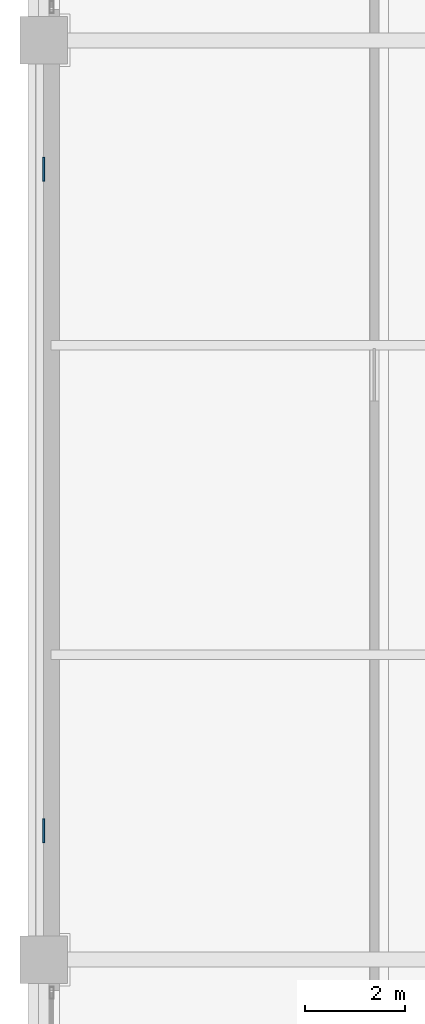
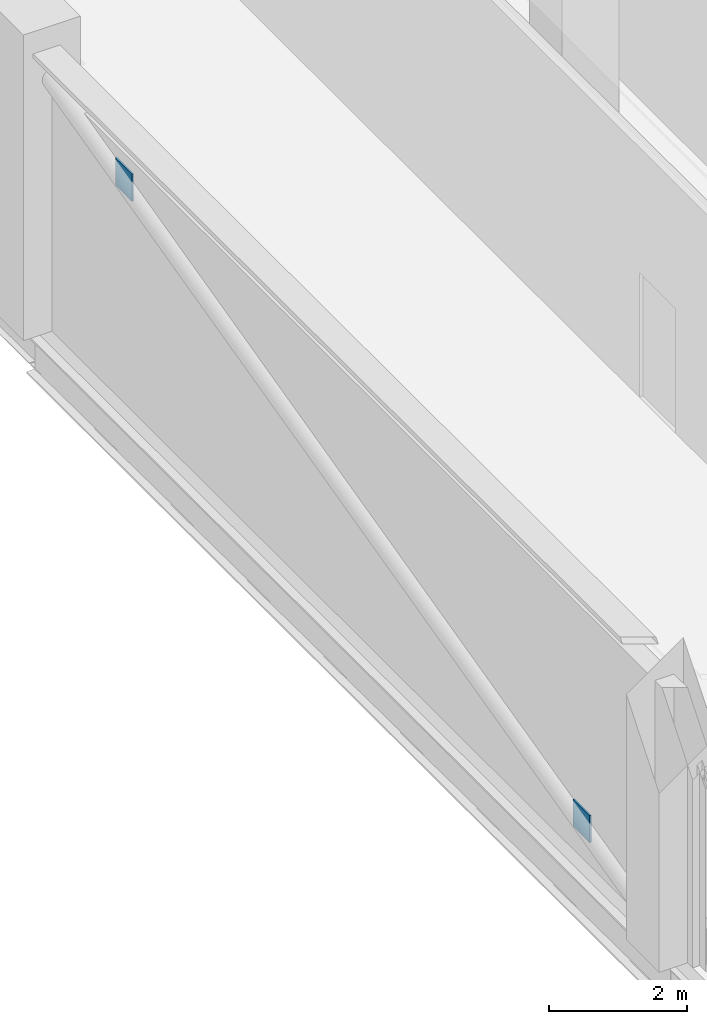
# One storey, part 27 of 43: 2 plates.
"""IFC4 building model written with IfcOpenShell, lengths in metres."""

from ifc_helpers import new_model, si_unit, direction, frame, origin, origin_2d, place, context, subcontext, project, spatial, rectangle, extrude, material, layer, layer_set, type_object, element, save


model = new_model("IFC4")

# Units and contexts
model_context = context("Model", 3, precision=1e-05, world=origin(), true_north=direction((0.0, 1.0)))
body_context = subcontext(model_context, "Body", "Model", "MODEL_VIEW")
ifc_project = project(units=[si_unit("LENGTHUNIT", "METRE"), si_unit("AREAUNIT", "SQUARE_METRE"), si_unit("VOLUMEUNIT", "CUBIC_METRE"), si_unit("PLANEANGLEUNIT", "RADIAN"), si_unit("MASSUNIT", "GRAM", prefix="KILO")], contexts=[model_context])

# Site, building, storey
site_placement = place(None, origin())
site = spatial("IfcSite", under=ifc_project, at=site_placement, CompositionType="ELEMENT")
building_placement = place(site_placement, origin())
building = spatial("IfcBuilding", under=site, at=building_placement, Name="Punatoya Terracotta Tower", CompositionType="ELEMENT")
storey_placement = place(building_placement, frame((0.0, 0.0, 6.0)))
storey = spatial("IfcBuildingStorey", under=building, at=storey_placement, Name="L01", CompositionType="ELEMENT", Elevation=6.0)

# Plates
ifc_material = material(Name="Steel S460", Category="steel")
ifc_layer = layer(ifc_material, 0.031982421875)
ifc_layer_set = layer_set([ifc_layer], Name="Steel S460")
plate_type = type_object("IfcPlateType", Name="PLT-END-32", PredefinedType="USERDEFINED", material=ifc_layer_set)
for number, where, z_axis, x_axis, name in (
    (1, (-37.0, -6.6240234375, 0.421142578125), (0.0, 0.0, 1.0), (1.0, 0.0, 0.0), "L01 Podium Brace PBR-1 End Connection Plate 1"),
    (2, (-37.0, 6.6240234375, 3.71875), (0.0, 0.0, 1.0), (1.0, 0.0, 0.0), "L01 Podium Brace PBR-1 End Connection Plate 2"),
):
    element("IfcPlate", number, at=place(storey_placement, frame(where, z_axis=z_axis, x_axis=x_axis)), inside=storey, type_object=plate_type, Name=name, ObjectType="FLANGE_PLATE", PredefinedType="USERDEFINED", context=body_context, shape_type="SweptSolid", body=[
        extrude(rectangle(XDim=0.031982421875, YDim=0.47998046875, at=origin_2d()), origin(), (0.0, 0.0, 1.0), 0.47998046875),
    ])

save(model, "model.ifc")
